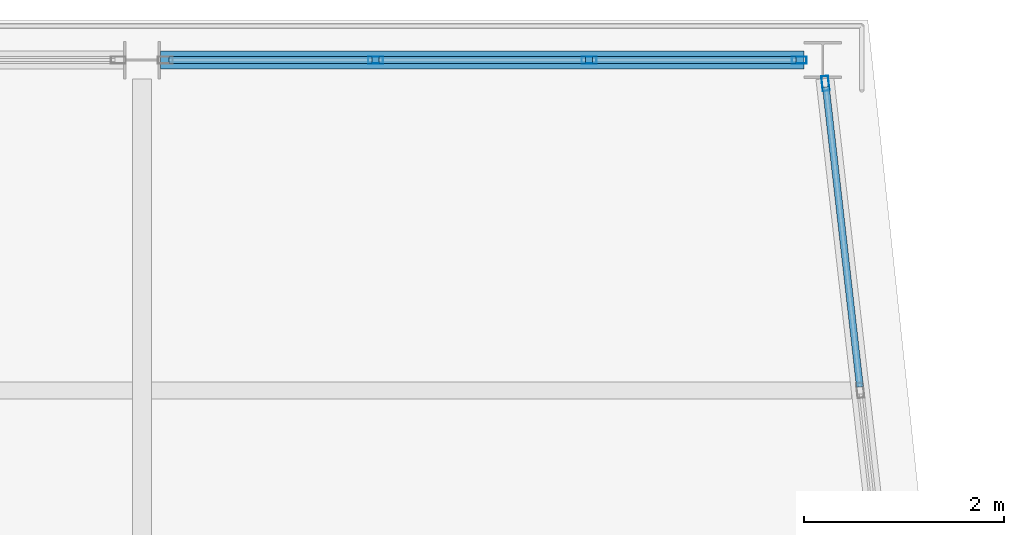
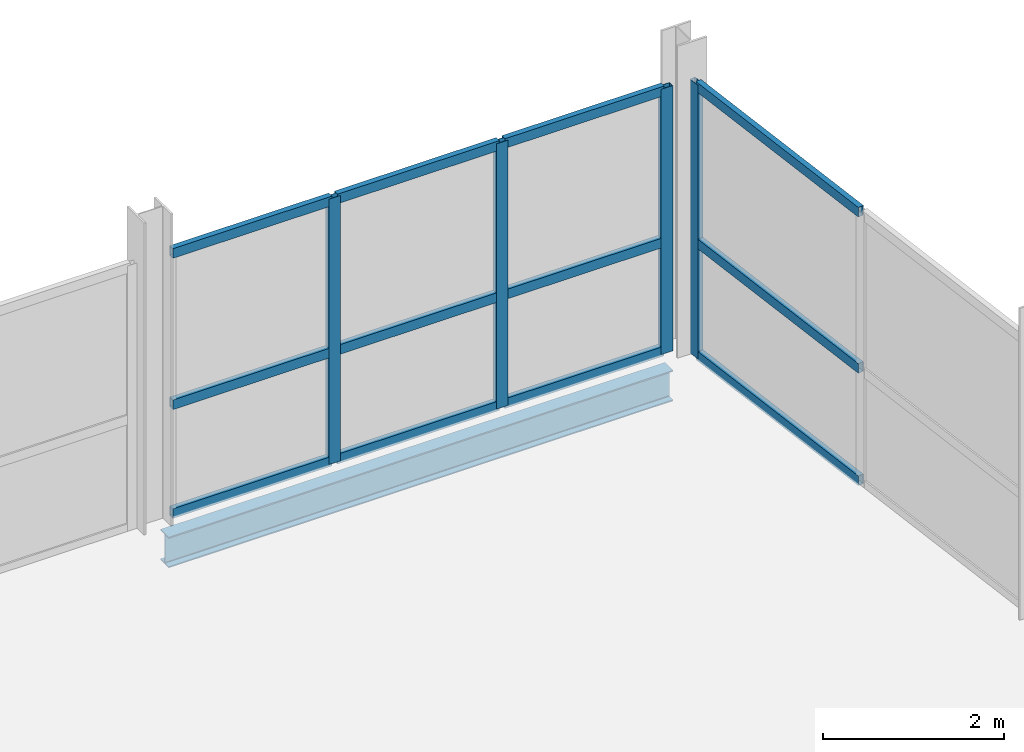
# One storey, part 13 of 20: 16 members, 1 beam, 2 elements without a shape of their own.
"""IFC4 building model written with IfcOpenShell, lengths in metres."""

from ifc_helpers import new_model, si_unit, direction, frame, origin, origin_2d, place, context, subcontext, project, spatial, hollow_rectangle, i_section, extrude, material, layer, layer_set, material_profile, profile_set, type_object, element, aggregate, save


model = new_model("IFC4")

# Units and contexts
model_context = context("Model", 3, precision=1e-05, world=origin(), true_north=direction((0.0, 1.0)))
body_context = subcontext(model_context, "Body", "Model", "MODEL_VIEW")
ifc_project = project(units=[si_unit("LENGTHUNIT", "METRE"), si_unit("AREAUNIT", "SQUARE_METRE"), si_unit("VOLUMEUNIT", "CUBIC_METRE"), si_unit("PLANEANGLEUNIT", "RADIAN"), si_unit("MASSUNIT", "GRAM", prefix="KILO")], contexts=[model_context])

# Site, building, storey
site_placement = place(None, origin())
site = spatial("IfcSite", under=ifc_project, at=site_placement, CompositionType="ELEMENT")
building_placement = place(site_placement, origin())
building = spatial("IfcBuilding", under=site, at=building_placement, Name="Quillay Park Conservatory", CompositionType="ELEMENT")
storey_placement = place(building_placement, frame((0.0, 0.0, 30.89990234375)))
storey = spatial("IfcBuildingStorey", under=building, at=storey_placement, Name="L07", CompositionType="ELEMENT", Elevation=30.89990234375)

# Curtain wall, member
ifc_material_1 = material(Name="Thermally Broken Anodised Aluminium 6063-T6", Category="aluminium")
ifc_layer = layer(ifc_material_1, 0.199951171875)
ifc_layer_set = layer_set([ifc_layer], Name="UNITISED CURTAIN WALL HERBARIUM (Thermally Broken Anodised Aluminium 6063-T6)")
curtain_wall_type = type_object("IfcCurtainWallType", Name="UNITISED CURTAIN WALL HERBARIUM", PredefinedType="USERDEFINED", material=ifc_layer_set)
curtain_wall_1_placement = place(storey_placement, origin())
curtain_wall_1 = element("IfcCurtainWall", 1, at=curtain_wall_1_placement, inside=storey, type_object=curtain_wall_type, Name="L07 Unitised Curtain Wall 074", ObjectType="UNITISED CURTAIN WALL", PredefinedType="USERDEFINED")
ifc_material_2 = material(Name="Thermally Broken Anodised Aluminium 6063-T6", Category="aluminium")
ifc_material_profile_1 = material_profile(ifc_material_2, hollow_rectangle(XDim=0.070068359375, YDim=0.14990234375, WallThickness=0.00341796875, at=origin_2d()), Name="AL70x150x3.5")
ifc_profile_set_1 = profile_set([ifc_material_profile_1], Name="Thermally Broken Anodised Aluminium 6063-T6")
member_type_1 = type_object("IfcMemberType", Name="CURTAIN WALL MULLION 70 X150", PredefinedType="MULLION", material=ifc_profile_set_1)
member_1_placement = place(storey_placement, frame((26.57666015625, 113.16650390625, 0.0), z_axis=(0.0, 0.0, 1.0), x_axis=(0.993605989969, 0.112903218278, 0.0)))
member_1 = element("IfcMember", 2, at=member_1_placement, type_object=member_type_1, Name="CW-T2 mullion 1", PredefinedType="MULLION", context=body_context, shape_type="SweptSolid", body=[
    extrude(hollow_rectangle(XDim=0.070068359375, YDim=0.14990234375, WallThickness=0.00341796875, at=origin_2d()), origin(), (0.0, 0.0, 1.0), 3.68701171875),
])

# Curtain wall, members
curtain_wall_2_placement = place(storey_placement, origin())
curtain_wall_2 = element("IfcCurtainWall", 3, at=curtain_wall_2_placement, inside=storey, type_object=curtain_wall_type, Name="L07 Unitised Curtain Wall 077", ObjectType="UNITISED CURTAIN WALL", PredefinedType="USERDEFINED")
member_2_placement = place(storey_placement, frame((22.083251953125, 113.39990234375, 0.0), z_axis=(0.0, 0.0, 1.0), x_axis=(0.0, 1.0, 0.0)))
member_2 = element("IfcMember", 4, at=member_2_placement, type_object=member_type_1, Name="CW-T2 mullion 2", PredefinedType="MULLION", context=body_context, shape_type="SweptSolid", body=[
    extrude(hollow_rectangle(XDim=0.070068359375, YDim=0.14990234375, WallThickness=0.00341796875, at=origin_2d()), origin(), (0.0, 0.0, 1.0), 3.57421875),
])
member_3_placement = place(storey_placement, frame((24.216552734375, 113.39990234375, 0.0), z_axis=(0.0, 0.0, 1.0), x_axis=(0.0, 1.0, 0.0)))
member_3 = element("IfcMember", 5, at=member_3_placement, type_object=member_type_1, Name="CW-T2 mullion 3", PredefinedType="MULLION", context=body_context, shape_type="SweptSolid", body=[
    extrude(hollow_rectangle(XDim=0.070068359375, YDim=0.14990234375, WallThickness=0.00341796875, at=origin_2d()), origin(), (0.0, 0.0, 1.0), 3.57421875),
])
member_4_placement = place(storey_placement, frame((26.31494140625, 113.39990234375, 0.0), z_axis=(0.0, 0.0, 1.0), x_axis=(0.0, 1.0, 0.0)))
member_4 = element("IfcMember", 6, at=member_4_placement, type_object=member_type_1, Name="CW-T2 mullion 4", PredefinedType="MULLION", context=body_context, shape_type="SweptSolid", body=[
    extrude(hollow_rectangle(XDim=0.070068359375, YDim=0.14990234375, WallThickness=0.00341796875, at=origin_2d()), origin(), (0.0, 0.0, 1.0), 3.57421875),
])

# Member
ifc_material_3 = material(Name="Thermally Broken Anodised Aluminium 6063-T6", Category="aluminium")
ifc_material_profile_2 = material_profile(ifc_material_3, hollow_rectangle(XDim=0.070068359375, YDim=0.1298828125, WallThickness=0.003173828125, at=origin_2d()), Name="AL70x130x3.2")
ifc_profile_set_2 = profile_set([ifc_material_profile_2], Name="Thermally Broken Anodised Aluminium 6063-T6")
member_type_2 = type_object("IfcMemberType", Name="CURTAIN WALL TRANSOM 70 X130", PredefinedType="USERDEFINED", material=ifc_profile_set_2)
member_5_placement = place(storey_placement, frame((26.58056640625, 113.1318359375, 0.03515625), z_axis=(0.112909688044, -0.99360525479, 0.0), x_axis=(0.99360525479, 0.112909688044, 0.0)))
member_5 = element("IfcMember", 7, at=member_5_placement, type_object=member_type_2, Name="CW-T2 transom 1.1", ObjectType="TRANSOM", PredefinedType="USERDEFINED", context=body_context, shape_type="SweptSolid", body=[
    extrude(hollow_rectangle(XDim=0.070068359375, YDim=0.1298828125, WallThickness=0.003173828125, at=origin_2d()), origin(), (0.0, 0.0, 1.0), 3.016357421875),
])

member_6_placement = place(storey_placement, frame((26.58056640625, 113.1318359375, 1.548583984375), z_axis=(0.112909688044, -0.99360525479, 0.0), x_axis=(0.99360525479, 0.112909688044, 0.0)))
member_6 = element("IfcMember", 8, at=member_6_placement, type_object=member_type_2, Name="CW-T2 transom 1.2", ObjectType="TRANSOM", PredefinedType="USERDEFINED", context=body_context, shape_type="SweptSolid", body=[
    extrude(hollow_rectangle(XDim=0.070068359375, YDim=0.1298828125, WallThickness=0.003173828125, at=origin_2d()), origin(), (0.0, 0.0, 1.0), 3.016357421875),
])

member_7_placement = place(storey_placement, frame((26.58056640625, 113.1318359375, 3.652099609375), z_axis=(0.112909688044, -0.99360525479, 0.0), x_axis=(0.99360525479, 0.112909688044, 0.0)))
member_7 = element("IfcMember", 9, at=member_7_placement, type_object=member_type_2, Name="CW-T2 transom 1.3", ObjectType="TRANSOM", PredefinedType="USERDEFINED", context=body_context, shape_type="SweptSolid", body=[
    extrude(hollow_rectangle(XDim=0.070068359375, YDim=0.1298828125, WallThickness=0.003173828125, at=origin_2d()), origin(), (0.0, 0.0, 1.0), 3.016357421875),
])

aggregate(curtain_wall_1, [member_1, member_5, member_6, member_7])

member_8_placement = place(storey_placement, frame((20.02001953125, 113.39990234375, 0.03515625), z_axis=(1.0, 0.0, 0.0), x_axis=(0.0, 1.0, 0.0)))
member_8 = element("IfcMember", 10, at=member_8_placement, type_object=member_type_2, Name="CW-T2 transom 1.1", ObjectType="TRANSOM", PredefinedType="USERDEFINED", context=body_context, shape_type="SweptSolid", body=[
    extrude(hollow_rectangle(XDim=0.070068359375, YDim=0.1298828125, WallThickness=0.003173828125, at=origin_2d()), origin(), (0.0, 0.0, 1.0), 2.0283203125),
])

member_9_placement = place(storey_placement, frame((20.02001953125, 113.39990234375, 1.501220703125), z_axis=(1.0, 0.0, 0.0), x_axis=(0.0, 1.0, 0.0)))
member_9 = element("IfcMember", 11, at=member_9_placement, type_object=member_type_2, Name="CW-T2 transom 1.2", ObjectType="TRANSOM", PredefinedType="USERDEFINED", context=body_context, shape_type="SweptSolid", body=[
    extrude(hollow_rectangle(XDim=0.070068359375, YDim=0.1298828125, WallThickness=0.003173828125, at=origin_2d()), origin(), (0.0, 0.0, 1.0), 2.0283203125),
])

member_10_placement = place(storey_placement, frame((20.02001953125, 113.39990234375, 3.5390625), z_axis=(1.0, 0.0, 0.0), x_axis=(0.0, 1.0, 0.0)))
member_10 = element("IfcMember", 12, at=member_10_placement, type_object=member_type_2, Name="CW-T2 transom 1.3", ObjectType="TRANSOM", PredefinedType="USERDEFINED", context=body_context, shape_type="SweptSolid", body=[
    extrude(hollow_rectangle(XDim=0.070068359375, YDim=0.1298828125, WallThickness=0.003173828125, at=origin_2d()), origin(), (0.0, 0.0, 1.0), 2.0283203125),
])

member_11_placement = place(storey_placement, frame((22.118408203125, 113.39990234375, 0.03515625), z_axis=(1.0, 0.0, 0.0), x_axis=(0.0, 1.0, 0.0)))
member_11 = element("IfcMember", 13, at=member_11_placement, type_object=member_type_2, Name="CW-T2 transom 2.1", ObjectType="TRANSOM", PredefinedType="USERDEFINED", context=body_context, shape_type="SweptSolid", body=[
    extrude(hollow_rectangle(XDim=0.070068359375, YDim=0.1298828125, WallThickness=0.003173828125, at=origin_2d()), origin(), (0.0, 0.0, 1.0), 2.063232421875),
])

member_12_placement = place(storey_placement, frame((22.118408203125, 113.39990234375, 1.501220703125), z_axis=(1.0, 0.0, 0.0), x_axis=(0.0, 1.0, 0.0)))
member_12 = element("IfcMember", 14, at=member_12_placement, type_object=member_type_2, Name="CW-T2 transom 2.2", ObjectType="TRANSOM", PredefinedType="USERDEFINED", context=body_context, shape_type="SweptSolid", body=[
    extrude(hollow_rectangle(XDim=0.070068359375, YDim=0.1298828125, WallThickness=0.003173828125, at=origin_2d()), origin(), (0.0, 0.0, 1.0), 2.063232421875),
])

member_13_placement = place(storey_placement, frame((22.118408203125, 113.39990234375, 3.5390625), z_axis=(1.0, 0.0, 0.0), x_axis=(0.0, 1.0, 0.0)))
member_13 = element("IfcMember", 15, at=member_13_placement, type_object=member_type_2, Name="CW-T2 transom 2.3", ObjectType="TRANSOM", PredefinedType="USERDEFINED", context=body_context, shape_type="SweptSolid", body=[
    extrude(hollow_rectangle(XDim=0.070068359375, YDim=0.1298828125, WallThickness=0.003173828125, at=origin_2d()), origin(), (0.0, 0.0, 1.0), 2.063232421875),
])

member_14_placement = place(storey_placement, frame((24.251708984375, 113.39990234375, 0.03515625), z_axis=(1.0, 0.0, 0.0), x_axis=(0.0, 1.0, 0.0)))
member_14 = element("IfcMember", 16, at=member_14_placement, type_object=member_type_2, Name="CW-T2 transom 3.1", ObjectType="TRANSOM", PredefinedType="USERDEFINED", context=body_context, shape_type="SweptSolid", body=[
    extrude(hollow_rectangle(XDim=0.070068359375, YDim=0.1298828125, WallThickness=0.003173828125, at=origin_2d()), origin(), (0.0, 0.0, 1.0), 2.0283203125),
])

member_15_placement = place(storey_placement, frame((24.251708984375, 113.39990234375, 1.501220703125), z_axis=(1.0, 0.0, 0.0), x_axis=(0.0, 1.0, 0.0)))
member_15 = element("IfcMember", 17, at=member_15_placement, type_object=member_type_2, Name="CW-T2 transom 3.2", ObjectType="TRANSOM", PredefinedType="USERDEFINED", context=body_context, shape_type="SweptSolid", body=[
    extrude(hollow_rectangle(XDim=0.070068359375, YDim=0.1298828125, WallThickness=0.003173828125, at=origin_2d()), origin(), (0.0, 0.0, 1.0), 2.0283203125),
])

member_16_placement = place(storey_placement, frame((24.251708984375, 113.39990234375, 3.5390625), z_axis=(1.0, 0.0, 0.0), x_axis=(0.0, 1.0, 0.0)))
member_16 = element("IfcMember", 18, at=member_16_placement, type_object=member_type_2, Name="CW-T2 transom 3.3", ObjectType="TRANSOM", PredefinedType="USERDEFINED", context=body_context, shape_type="SweptSolid", body=[
    extrude(hollow_rectangle(XDim=0.070068359375, YDim=0.1298828125, WallThickness=0.003173828125, at=origin_2d()), origin(), (0.0, 0.0, 1.0), 2.0283203125),
])

aggregate(curtain_wall_2, [member_2, member_3, member_4, member_8, member_9, member_10, member_11, member_12, member_13, member_14, member_15, member_16])

# Beam
ifc_material_4 = material(Name="Steel ASTM A992 Grade 50", Category="steel")
ifc_material_profile_3 = material_profile(ifc_material_4, i_section(OverallWidth=0.179931640625, OverallDepth=0.4130859375, WebThickness=0.009765625, FlangeThickness=0.01611328125, FilletRadius=0.011962890625, at=origin_2d()), Name="W410x74")
ifc_profile_set_3 = profile_set([ifc_material_profile_3], Name="Steel ASTM A992 Grade 50")
beam_type = type_object("IfcBeamType", Name="PERIMETER SPANDREL BEAM W410 X74", PredefinedType="SPANDREL", material=ifc_profile_set_3)
beam_placement = place(storey_placement, frame((19.93603515625, 113.39990234375, -0.426513671875), z_axis=(1.0, 0.0, 0.0), x_axis=(0.0, 1.0, 0.0)))
element("IfcBeam", 19, at=beam_placement, inside=storey, type_object=beam_type, Name="L07 beam BM-SP-0537", PredefinedType="SPANDREL", context=body_context, shape_type="SweptSolid", body=[
    extrude(i_section(OverallWidth=0.179931640625, OverallDepth=0.4130859375, WebThickness=0.009765625, FlangeThickness=0.01611328125, FilletRadius=0.011962890625, at=origin_2d()), origin(), (0.0, 0.0, 1.0), 6.427001953125),
])

save(model, "model.ifc")
